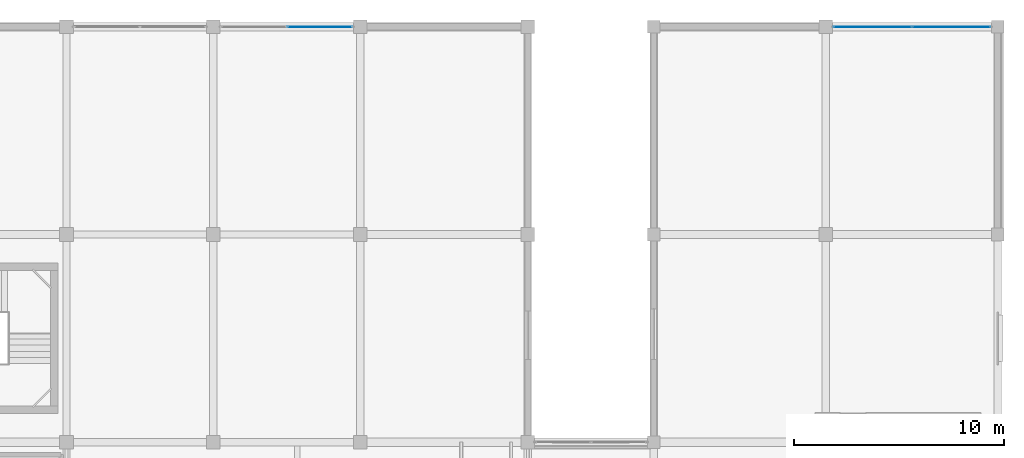
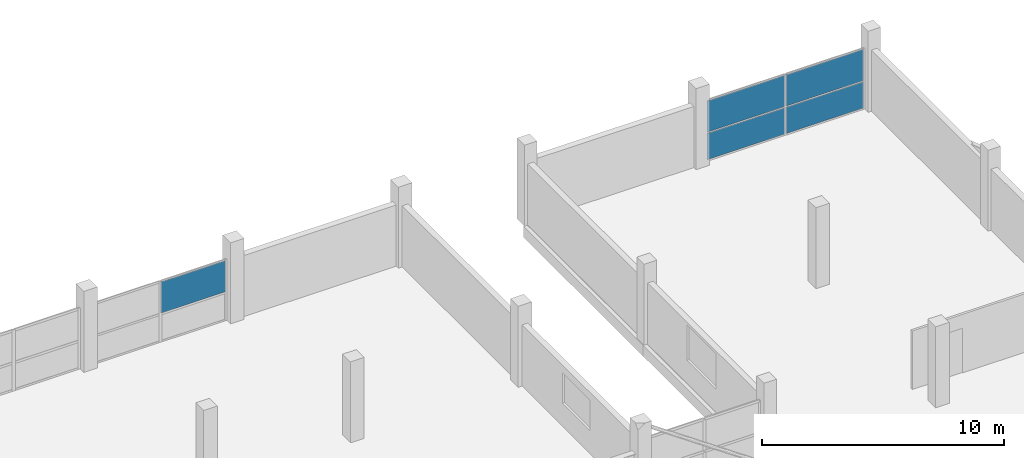
# One storey, part 55 of 70: 5 plates, 2 elements without a shape of their own.
"""IFC4 building model written with IfcOpenShell, lengths in metres."""

from ifc_helpers import new_model, si_unit, direction, frame, origin, origin_2d, place, context, subcontext, project, spatial, rectangle, extrude, material, layer, layer_set, type_object, element, aggregate, save


model = new_model("IFC4")

# Units and contexts
model_context = context("Model", 3, precision=1e-05, world=origin(), true_north=direction((0.0, 1.0)))
body_context = subcontext(model_context, "Body", "Model", "MODEL_VIEW")
ifc_project = project(units=[si_unit("LENGTHUNIT", "METRE"), si_unit("AREAUNIT", "SQUARE_METRE"), si_unit("VOLUMEUNIT", "CUBIC_METRE"), si_unit("PLANEANGLEUNIT", "RADIAN"), si_unit("MASSUNIT", "GRAM", prefix="KILO")], contexts=[model_context])

# Site, building, storey
site_placement = place(None, origin())
site = spatial("IfcSite", under=ifc_project, at=site_placement, CompositionType="ELEMENT")
building_placement = place(site_placement, origin())
building = spatial("IfcBuilding", under=site, at=building_placement, Name="Sillaruma Civic Art Gallery", CompositionType="ELEMENT")
storey_placement = place(building_placement, frame((0.0, 0.0, 66.300048828125)))
storey = spatial("IfcBuildingStorey", under=building, at=storey_placement, Name="L13", CompositionType="ELEMENT", Elevation=66.300048828125)

# Curtain wall, plate
ifc_material_1 = material(Name="Thermally Broken Extruded Aluminium 6063-T6", Category="aluminium")
ifc_layer_1 = layer(ifc_material_1, 0.139892578125, Name="Thermally Broken Extruded Aluminium 6063-T6")
ifc_layer_set_1 = layer_set([ifc_layer_1], Name="Thermally Broken Extruded Aluminium 6063-T6")
curtain_wall_type_1 = type_object("IfcCurtainWallType", Name="CW-UNI-106", PredefinedType="NOTDEFINED", material=ifc_layer_set_1)
curtain_wall_1_placement = place(storey_placement, origin())
curtain_wall_1 = element("IfcCurtainWall", 1, at=curtain_wall_1_placement, inside=storey, type_object=curtain_wall_type_1, Name="Unitised Curtain Wall CW-106 (CW-L13-WBN-3)", PredefinedType="NOTDEFINED")
ifc_material_2 = material(Name="Low-E UV-Filtered Laminated Insulating Glass", Category="glass")
ifc_layer_2 = layer(ifc_material_2, 0.028076171875, Name="Low-E UV-Filtered Laminated Insulating Glass")
ifc_layer_set_2 = layer_set([ifc_layer_2], Name="Low-E UV-Filtered Laminated Insulating Glass")
plate_type = type_object("IfcPlateType", Name="PNL-GLZ-28", PredefinedType="CURTAIN_PANEL", material=ifc_layer_set_2)
plate_1_placement = place(storey_placement, frame((82.072509765625, 99.0, 1.44677734375), z_axis=(0.0, 0.0, 1.0), x_axis=(1.0, 0.0, 0.0)))
plate_1 = element("IfcPlate", 2, at=plate_1_placement, type_object=plate_type, Name="CW-106 panel 2.2", PredefinedType="CURTAIN_PANEL", context=body_context, shape_type="SweptSolid", body=[
    extrude(rectangle(XDim=3.0849609375, YDim=0.028076171875, at=origin_2d()), origin(), (0.0, 0.0, 1.0), 1.5732421875),
])
aggregate(curtain_wall_1, [plate_1])

# Curtain wall, plates
ifc_layer_3 = layer(ifc_material_1, 0.139892578125, Name="Thermally Broken Extruded Aluminium 6063-T6")
ifc_layer_set_3 = layer_set([ifc_layer_3], Name="Thermally Broken Extruded Aluminium 6063-T6")
curtain_wall_type_2 = type_object("IfcCurtainWallType", Name="CW-UNI-107", PredefinedType="NOTDEFINED", material=ifc_layer_set_3)
curtain_wall_2_placement = place(storey_placement, origin())
curtain_wall_2 = element("IfcCurtainWall", 3, at=curtain_wall_2_placement, inside=storey, type_object=curtain_wall_type_2, Name="Unitised Curtain Wall CW-107 (CW-L13-EBN-2)", PredefinedType="NOTDEFINED")
plate_2_placement = place(storey_placement, frame((108.433837890625, 99.0, 0.06005859375), z_axis=(0.0, 0.0, 1.0), x_axis=(1.0, 0.0, 0.0)))
plate_2 = element("IfcPlate", 4, at=plate_2_placement, type_object=plate_type, Name="CW-107 panel 1.1", PredefinedType="CURTAIN_PANEL", context=body_context, shape_type="SweptSolid", body=[
    extrude(rectangle(XDim=3.697509765625, YDim=0.028076171875, at=origin_2d()), origin(), (0.0, 0.0, 1.0), 1.326904296875),
])
plate_3_placement = place(storey_placement, frame((108.433837890625, 99.0, 1.44677734375), z_axis=(0.0, 0.0, 1.0), x_axis=(1.0, 0.0, 0.0)))
plate_3 = element("IfcPlate", 5, at=plate_3_placement, type_object=plate_type, Name="CW-107 panel 1.2", PredefinedType="CURTAIN_PANEL", context=body_context, shape_type="SweptSolid", body=[
    extrude(rectangle(XDim=3.697509765625, YDim=0.028076171875, at=origin_2d()), origin(), (0.0, 0.0, 1.0), 1.5732421875),
])
plate_4_placement = place(storey_placement, frame((112.191162109375, 99.0, 0.06005859375), z_axis=(0.0, 0.0, 1.0), x_axis=(1.0, 0.0, 0.0)))
plate_4 = element("IfcPlate", 6, at=plate_4_placement, type_object=plate_type, Name="CW-107 panel 2.1", PredefinedType="CURTAIN_PANEL", context=body_context, shape_type="SweptSolid", body=[
    extrude(rectangle(XDim=3.697509765625, YDim=0.028076171875, at=origin_2d()), origin(), (0.0, 0.0, 1.0), 1.326904296875),
])
plate_5_placement = place(storey_placement, frame((112.191162109375, 99.0, 1.44677734375), z_axis=(0.0, 0.0, 1.0), x_axis=(1.0, 0.0, 0.0)))
plate_5 = element("IfcPlate", 7, at=plate_5_placement, type_object=plate_type, Name="CW-107 panel 2.2", PredefinedType="CURTAIN_PANEL", context=body_context, shape_type="SweptSolid", body=[
    extrude(rectangle(XDim=3.697509765625, YDim=0.028076171875, at=origin_2d()), origin(), (0.0, 0.0, 1.0), 1.5732421875),
])
aggregate(curtain_wall_2, [plate_2, plate_3, plate_4, plate_5])

save(model, "model.ifc")
